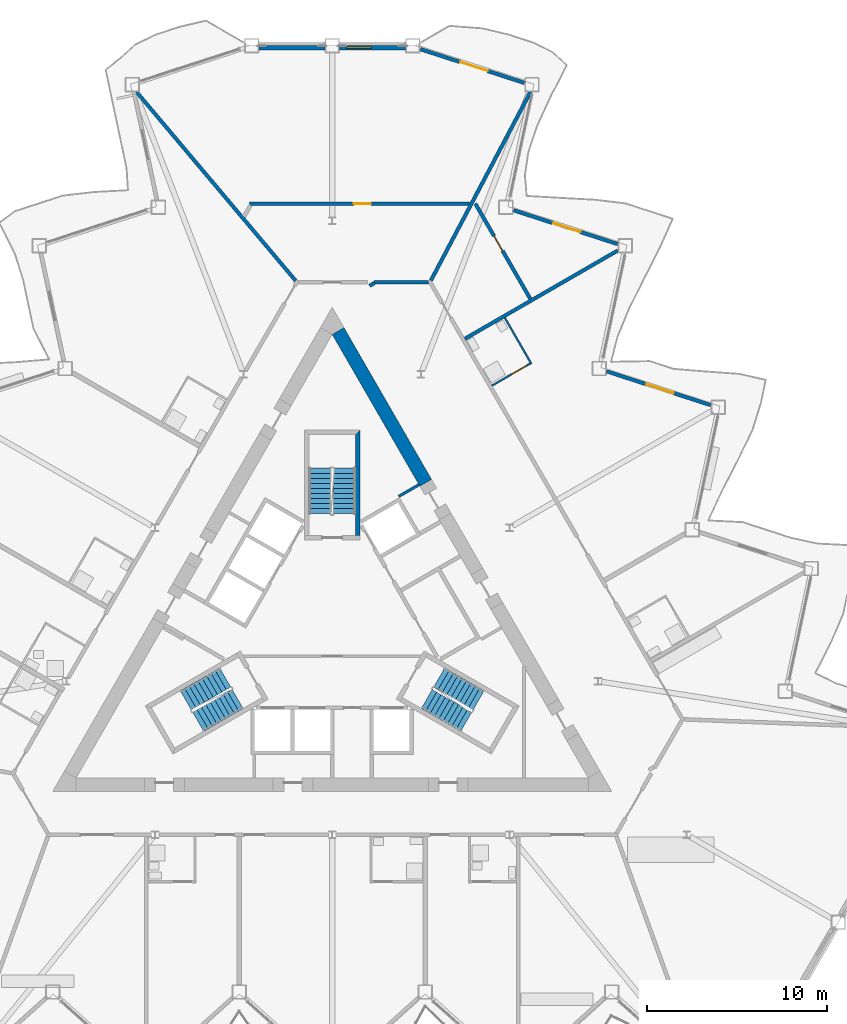
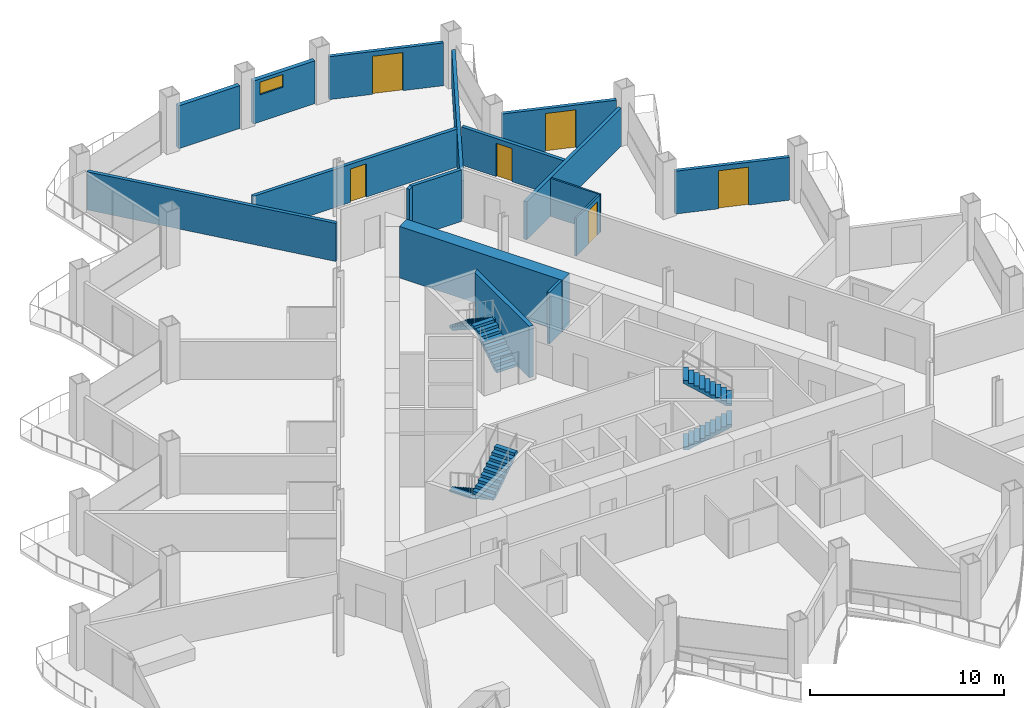
# One storey, part 15 of 23: 17 walls, 6 doors, 6 stair flights, 1 window, 7 openings, 3 elements without a shape of their own.
"""IFC4 building model written with IfcOpenShell, lengths in metres."""

from ifc_helpers import new_model, si_unit, direction, frame, frame_2d, origin, place, context, subcontext, project, spatial, polyline, rectangle, outline, extrude, material, layer, layer_set, type_object, element, fill, aggregate, save


model = new_model("IFC4")

# Units and contexts
model_context = context("Model", 3, precision=1e-05, world=origin(), true_north=direction((0.0, 1.0)))
body_context = subcontext(model_context, "Body", "Model", "MODEL_VIEW")
ifc_project = project(units=[si_unit("LENGTHUNIT", "METRE"), si_unit("AREAUNIT", "SQUARE_METRE"), si_unit("VOLUMEUNIT", "CUBIC_METRE"), si_unit("PLANEANGLEUNIT", "RADIAN"), si_unit("MASSUNIT", "GRAM", prefix="KILO")], contexts=[model_context])

# Site, building, storey
site_placement = place(None, origin())
site = spatial("IfcSite", under=ifc_project, at=site_placement, CompositionType="ELEMENT")
building_placement = place(site_placement, origin())
building = spatial("IfcBuilding", under=site, at=building_placement, Name="Cormorant Prow Tower", CompositionType="ELEMENT")
storey_placement = place(building_placement, frame((0.0, 0.0, 208.800048828125)))
storey = spatial("IfcBuildingStorey", under=building, at=storey_placement, Name="L46", CompositionType="ELEMENT", Elevation=208.800048828125)

# Walls
ifc_material_1 = material(Name="Gypsum board partition")
ifc_layer_1 = layer(ifc_material_1, 0.14990234375)
ifc_layer_set_1 = layer_set([ifc_layer_1], Name="Gypsum board partition")
wall_type_1 = type_object("IfcWallType", Name="Core partition 150", PredefinedType="PARTITIONING", material=ifc_layer_set_1)
wall_1_placement = place(storey_placement, frame((3.693359375, 7.4150390625, 0.0), z_axis=(0.0, 0.0, 1.0), x_axis=(0.866003189247, 0.500038474733, 0.0)))
element("IfcWall", 1, at=wall_1_placement, inside=storey, type_object=wall_type_1, Name="Service room partition", PredefinedType="PARTITIONING", context=body_context, shape_type="SweptSolid", body=[
    extrude(rectangle(XDim=1.29296875, YDim=0.14990234375, at=frame_2d((0.646484375, 0.0))), origin(), (0.0, 0.0, 1.0), 3.25),
])
ifc_material_2 = material(Name="Concrete 8000 psi", Category="concrete")
ifc_layer_2 = layer(ifc_material_2, 0.75)
ifc_layer_set_2 = layer_set([ifc_layer_2], Name="Concrete 8000 psi")
wall_type_2 = type_object("IfcWallType", Name="Core shear wall 750", PredefinedType="SHEAR", material=ifc_layer_set_2)
wall_2_placement = place(storey_placement, frame((5.185302734375, 8.166748046875, 0.0), z_axis=(0.0, 0.0, 1.0), x_axis=(-0.500004344816, 0.866022895289, 0.0)))
element("IfcWall", 2, at=wall_2_placement, inside=storey, type_object=wall_type_2, Name="Core wall", PredefinedType="SHEAR", context=body_context, shape_type="SweptSolid", body=[
    extrude(rectangle(XDim=9.72119140625, YDim=0.75, at=frame_2d((4.860595703125, 0.0))), origin(), (0.0, 0.0, 1.0), 3.25),
])
ifc_material_3 = material(Name="Gypsum board corridor wall")
ifc_layer_3 = layer(ifc_material_3, 0.199951171875)
ifc_layer_set_3 = layer_set([ifc_layer_3], Name="Gypsum board corridor wall")
wall_type_3 = type_object("IfcWallType", Name="Corridor wall 200", PredefinedType="PARTITIONING", material=ifc_layer_set_3)
wall_3_placement = place(storey_placement, frame((2.324951171875, 19.2978515625, 0.0), z_axis=(0.0, 0.0, 1.0), x_axis=(1.0, 0.0, 0.0)))
element("IfcWall", 3, at=wall_3_placement, inside=storey, type_object=wall_type_3, Name="Corridor wall", PredefinedType="PARTITIONING", context=body_context, shape_type="SweptSolid", body=[
    extrude(rectangle(XDim=3.002197265625, YDim=0.199951171875, at=frame_2d((1.5009765625, 0.0))), origin(), (0.0, 0.0, 1.0), 3.25),
])
wall_4_placement = place(storey_placement, frame((2.06982421875, 19.093017578125, 0.0), z_axis=(0.0, 0.0, 1.0), x_axis=(0.866395311824, 0.499358752451, 0.0)))
element("IfcWall", 4, at=wall_4_placement, inside=storey, type_object=wall_type_3, Name="Corridor wall", PredefinedType="PARTITIONING", context=body_context, shape_type="SweptSolid", body=[
    extrude(rectangle(XDim=0.31005859375, YDim=0.199951171875, at=frame_2d((0.155029296875, 0.0))), origin(), (0.0, 0.0, 1.0), 3.25),
])
ifc_material_4 = material(Name="Gypsum board demising wall")
ifc_layer_4 = layer(ifc_material_4, 0.199951171875)
ifc_layer_set_4 = layer_set([ifc_layer_4], Name="Gypsum board demising wall")
wall_type_4 = type_object("IfcWallType", Name="Demising wall 200", PredefinedType="PARTITIONING", material=ifc_layer_set_4)
wall_5_placement = place(storey_placement, frame((-10.848388671875, 29.841796875, 0.0), z_axis=(0.0, 0.0, 1.0), x_axis=(0.644393845782, -0.764693776305, 0.0)))
element("IfcWall", 5, at=wall_5_placement, inside=storey, type_object=wall_type_4, Name="Demising wall", PredefinedType="PARTITIONING", context=body_context, shape_type="SweptSolid", body=[
    extrude(rectangle(XDim=13.6884765625, YDim=0.199951171875, at=frame_2d((6.84423828125, 0.0))), origin(), (0.0, 0.0, 1.0), 2.404052734375),
])

# Wall, opening, door
wall_6_placement = place(storey_placement, frame((-4.574462890625, 23.64794921875, 0.0), z_axis=(0.0, 0.0, 1.0), x_axis=(1.0, 0.0, 0.0)))
wall_6 = element("IfcWall", 6, at=wall_6_placement, inside=storey, type_object=wall_type_4, Name="Demising wall", PredefinedType="PARTITIONING", context=body_context, shape_type="SweptSolid", body=[
    extrude(rectangle(XDim=12.197509765625, YDim=0.199951171875, at=frame_2d((6.0986328125, 0.0))), origin(), (0.0, 0.0, 1.0), 2.404052734375),
])
opening_1_placement = place(wall_6_placement, frame((5.7744140625, 0.0, 0.0)))
opening_1 = element("IfcOpeningElement", 7, at=opening_1_placement, cuts=wall_6, Name="Opening L46-F18", PredefinedType="OPENING", context=body_context, shape_type="SweptSolid", body=[
    extrude(rectangle(XDim=0.949951171875, YDim=2.10009765625, at=frame_2d((0.47509765625, 1.050048828125))), frame((0.0, 0.10986328125, 0.0), z_axis=(0.0, -1.0, 0.0), x_axis=(1.0, 0.0, 0.0)), (0.0, 0.0, 1.0), 0.219970703125),
])
ifc_material_5 = material(Name="Timber door leaf", Category="wood")
door_type_1 = type_object("IfcDoorType", Name="Store door 950x2100", OperationType="NOTDEFINED", PredefinedType="DOOR", material=ifc_material_5)
door_1_placement = place(opening_1_placement, origin())
door_1 = element("IfcDoor", 8, at=door_1_placement, inside=storey, type_object=door_type_1, Name="Luggage store door", OperationType="SINGLE_SWING_RIGHT", OverallHeight=2.10009765625, OverallWidth=0.949951171875, PredefinedType="DOOR", context=body_context, shape_type="SweptSolid", body=[
    extrude(rectangle(XDim=0.949951171875, YDim=2.10009765625, at=frame_2d((0.47509765625, 1.050048828125))), frame((0.0, 0.02490234375, 0.0), z_axis=(0.0, -1.0, 0.0), x_axis=(1.0, 0.0, 0.0)), (0.0, 0.0, 1.0), 0.050048828125),
])
fill(opening_1, door_1)

# Walls
wall_7_placement = place(storey_placement, frame((5.473876953125, 19.38623046875, 0.0), z_axis=(0.0, 0.0, 1.0), x_axis=(0.46676490071, 0.884381437766, 0.0)))
element("IfcWall", 9, at=wall_7_placement, inside=storey, type_object=wall_type_4, Name="Demising wall", PredefinedType="PARTITIONING", context=body_context, shape_type="SweptSolid", body=[
    extrude(rectangle(XDim=11.822509765625, YDim=0.199951171875, at=frame_2d((5.9111328125, 0.0))), origin(), (0.0, 0.0, 1.0), 2.404052734375),
])
wall_8_placement = place(storey_placement, frame((7.357421875, 16.154296875, 0.0), z_axis=(0.0, 0.0, 1.0), x_axis=(0.866029004385, 0.499993763526, 0.0)))
element("IfcWall", 10, at=wall_8_placement, inside=storey, type_object=wall_type_4, Name="Demising wall", PredefinedType="PARTITIONING", context=body_context, shape_type="SweptSolid", body=[
    extrude(rectangle(XDim=9.788818359375, YDim=0.199951171875, at=frame_2d((4.89453125, 0.0))), origin(), (0.0, 0.0, 1.0), 2.404052734375),
])

# Wall, opening, door
wall_9_placement = place(storey_placement, frame((7.938720703125, 23.64794921875, 0.0), z_axis=(0.0, 0.0, 1.0), x_axis=(0.499970785833, -0.866042269935, 0.0)))
wall_9 = element("IfcWall", 11, at=wall_9_placement, inside=storey, type_object=wall_type_4, Name="Demising wall", PredefinedType="PARTITIONING", context=body_context, shape_type="SweptSolid", body=[
    extrude(rectangle(XDim=6.098876953125, YDim=0.199951171875, at=frame_2d((3.04931640625, 0.0))), origin(), (0.0, 0.0, 1.0), 2.404052734375),
])
opening_2_placement = place(wall_9_placement, frame((2.069091796875, 0.0, 0.0)))
opening_2 = element("IfcOpeningElement", 12, at=opening_2_placement, cuts=wall_9, Name="Opening L46-F16", PredefinedType="OPENING", context=body_context, shape_type="SweptSolid", body=[
    extrude(rectangle(XDim=0.949951171875, YDim=2.10009765625, at=frame_2d((0.47509765625, 1.050048828125))), frame((0.0, 0.10986328125, 0.0), z_axis=(0.0, -1.0, 0.0), x_axis=(1.0, 0.0, 0.0)), (0.0, 0.0, 1.0), 0.219970703125),
])
door_2_placement = place(opening_2_placement, origin())
door_2 = element("IfcDoor", 13, at=door_2_placement, inside=storey, type_object=door_type_1, Name="Linen store door", OperationType="SINGLE_SWING_LEFT", OverallHeight=2.10009765625, OverallWidth=0.949951171875, PredefinedType="DOOR", context=body_context, shape_type="SweptSolid", body=[
    extrude(rectangle(XDim=0.949951171875, YDim=2.10009765625, at=frame_2d((0.47509765625, 1.050048828125))), frame((0.0, 0.02490234375, 0.0), z_axis=(0.0, -1.0, 0.0), x_axis=(1.0, 0.0, 0.0)), (0.0, 0.0, 1.0), 0.050048828125),
])
fill(opening_2, door_2)

# Wall
ifc_material_6 = material(Name="Gypsum board partition")
ifc_layer_5 = layer(ifc_material_6, 0.10009765625)
ifc_layer_set_5 = layer_set([ifc_layer_5], Name="Gypsum board partition")
wall_type_5 = type_object("IfcWallType", Name="Internal partition 100", PredefinedType="PARTITIONING", material=ifc_layer_set_5)
wall_10_placement = place(storey_placement, frame((9.572509765625, 17.317626953125, 0.0), z_axis=(0.0, 0.0, 1.0), x_axis=(0.500037662692, -0.866003658127, 0.0)))
element("IfcWall", 14, at=wall_10_placement, inside=storey, type_object=wall_type_5, Name="Internal partition", PredefinedType="PARTITIONING", context=body_context, shape_type="SweptSolid", body=[
    extrude(rectangle(XDim=2.949951171875, YDim=0.10009765625, at=frame_2d((1.47509765625, 0.0))), origin(), (0.0, 0.0, 1.0), 2.404052734375),
])

# Wall, opening, door
wall_11_placement = place(storey_placement, frame((8.857421875, 13.55615234375, 0.0), z_axis=(0.0, 0.0, 1.0), x_axis=(0.866014668023, 0.500018594424, 0.0)))
wall_11 = element("IfcWall", 15, at=wall_11_placement, inside=storey, type_object=wall_type_5, Name="Internal partition", PredefinedType="PARTITIONING", context=body_context, shape_type="SweptSolid", body=[
    extrude(rectangle(XDim=2.4501953125, YDim=0.10009765625, at=frame_2d((1.22509765625, 0.0))), origin(), (0.0, 0.0, 1.0), 2.404052734375),
])
opening_3_placement = place(wall_11_placement, frame((1.25, 0.0, 0.0)))
opening_3 = element("IfcOpeningElement", 16, at=opening_3_placement, cuts=wall_11, Name="Opening L46-F14", PredefinedType="OPENING", context=body_context, shape_type="SweptSolid", body=[
    extrude(rectangle(XDim=0.949951171875, YDim=2.10009765625, at=frame_2d((0.47509765625, 1.050048828125))), frame((0.0, 0.06005859375, 0.0), z_axis=(0.0, -1.0, 0.0), x_axis=(1.0, 0.0, 0.0)), (0.0, 0.0, 1.0), 0.1201171875),
])
ifc_material_7 = material(Name="Timber door leaf", Category="wood")
door_type_2 = type_object("IfcDoorType", Name="Bathroom door 950x2100", OperationType="NOTDEFINED", PredefinedType="DOOR", material=ifc_material_7)
door_3_placement = place(opening_3_placement, origin())
door_3 = element("IfcDoor", 17, at=door_3_placement, inside=storey, type_object=door_type_2, Name="Executive suite bedroom door", OperationType="SINGLE_SWING_RIGHT", OverallHeight=2.10009765625, OverallWidth=0.949951171875, PredefinedType="DOOR", context=body_context, shape_type="SweptSolid", body=[
    extrude(rectangle(XDim=0.949951171875, YDim=2.10009765625, at=frame_2d((0.47509765625, 1.050048828125))), frame((0.0, 0.02490234375, 0.0), z_axis=(0.0, -1.0, 0.0), x_axis=(1.0, 0.0, 0.0)), (0.0, 0.0, 1.0), 0.050048828125),
])
fill(opening_3, door_3)

# Wall
ifc_material_8 = material(Name="Concrete 8000 psi", Category="concrete")
ifc_layer_6 = layer(ifc_material_8, 0.25)
ifc_layer_set_6 = layer_set([ifc_layer_6], Name="Concrete 8000 psi")
wall_type_6 = type_object("IfcWallType", Name="Stair wall 250", PredefinedType="SHEAR", material=ifc_layer_set_6)
wall_12_placement = place(storey_placement, origin())
element("IfcWall", 18, at=wall_12_placement, inside=storey, type_object=wall_type_6, Name="Stair ST3 enclosure wall (flank)", PredefinedType="SHEAR", context=body_context, shape_type="SweptSolid", body=[
    extrude(outline(polyline([(1.5439453125, 5.23681640625), (1.5439453125, 11.0869140625), (1.2939453125, 10.8369140625), (1.2939453125, 5.23681640625), (1.5439453125, 5.23681640625)])), origin(), (0.0, 0.0, 1.0), 3.25),
])

# Wall, opening, window
ifc_material_9 = material(Name="Terracotta", Category="masonry")
ifc_layer_7 = layer(ifc_material_9, 0.25)
ifc_layer_set_7 = layer_set([ifc_layer_7], Name="Terracotta")
wall_type_7 = type_object("IfcWallType", Name="Terracotta bay wall 250", PredefinedType="SOLIDWALL", material=ifc_layer_set_7)
wall_13_placement = place(storey_placement, frame((4.0703125, 32.2919921875, 0.0), z_axis=(0.0, 0.0, 1.0), x_axis=(-1.0, 0.0, 0.0)))
wall_13 = element("IfcWall", 19, at=wall_13_placement, inside=storey, type_object=wall_type_7, Name="Terracotta bay wall N00", PredefinedType="SOLIDWALL", context=body_context, shape_type="SweptSolid", body=[
    extrude(rectangle(XDim=3.67041015625, YDim=0.25, at=frame_2d((1.835205078125, 0.0))), origin(), (0.0, 0.0, 1.0), 2.700927734375),
])
opening_4_placement = place(wall_13_placement, frame((1.89697265625, 0.0, 1.699951171875)))
opening_4 = element("IfcOpeningElement", 20, at=opening_4_placement, cuts=wall_13, Name="Opening WN3", PredefinedType="OPENING", context=body_context, shape_type="SweptSolid", body=[
    extrude(rectangle(XDim=1.39990234375, YDim=0.800048828125, at=frame_2d((0.699951171875, 0.39990234375))), frame((0.0, 0.135009765625, 0.0), z_axis=(0.0, -1.0, 0.0), x_axis=(1.0, 0.0, 0.0)), (0.0, 0.0, 1.0), 0.27001953125),
])
ifc_material_10 = material(Name="Aluminium 6063-T6", Category="aluminium")
window_type = type_object("IfcWindowType", Name="Corner bay window 1400x800", PartitioningType="SINGLE_PANEL", PredefinedType="WINDOW", material=ifc_material_10)
window_placement = place(opening_4_placement, origin())
window = element("IfcWindow", 21, at=window_placement, inside=storey, type_object=window_type, Name="Corner bay window N00", OverallHeight=0.800048828125, OverallWidth=1.39990234375, PartitioningType="SINGLE_PANEL", PredefinedType="WINDOW", context=body_context, shape_type="SweptSolid", body=[
    extrude(rectangle(XDim=1.39990234375, YDim=0.800048828125, at=frame_2d((0.699951171875, 0.39990234375))), frame((0.0, 0.030029296875, 0.0), z_axis=(0.0, -1.0, 0.0), x_axis=(1.0, 0.0, 0.0)), (0.0, 0.0, 1.0), 0.06005859375),
])
fill(opening_4, window)

# Wall
wall_14_placement = place(storey_placement, frame((-0.39990234375, 32.2919921875, 0.0), z_axis=(0.0, 0.0, 1.0), x_axis=(-1.0, 0.0, 0.0)))
element("IfcWall", 22, at=wall_14_placement, inside=storey, type_object=wall_type_7, Name="Terracotta bay wall N01", PredefinedType="SOLIDWALL", context=body_context, shape_type="SweptSolid", body=[
    extrude(rectangle(XDim=3.67041015625, YDim=0.25, at=frame_2d((1.835205078125, 0.0))), origin(), (0.0, 0.0, 1.0), 2.700927734375),
])

# Wall, opening, door
ifc_material_11 = material(Name="Terracotta", Category="masonry")
ifc_layer_8 = layer(ifc_material_11, 0.199951171875)
ifc_layer_set_8 = layer_set([ifc_layer_8], Name="Terracotta")
wall_type_8 = type_object("IfcWallType", Name="Terracotta jamb wall 200", PredefinedType="SOLIDWALL", material=ifc_layer_set_8)
wall_15_placement = place(storey_placement, frame((20.98486328125, 12.47607421875, 0.0), z_axis=(0.0, 0.0, 1.0), x_axis=(-0.951058356211, 0.30901133164, 0.0)))
wall_15 = element("IfcWall", 23, at=wall_15_placement, inside=storey, type_object=wall_type_8, Name="Terracotta jamb wall ENE05", PredefinedType="SOLIDWALL", context=body_context, shape_type="SweptSolid", body=[
    extrude(rectangle(XDim=6.056640625, YDim=0.199951171875, at=frame_2d((3.0283203125, 0.0))), origin(), (0.0, 0.0, 1.0), 2.700927734375),
])
opening_5_placement = place(wall_15_placement, frame((2.15869140625, 0.0, 0.0)))
opening_5 = element("IfcOpeningElement", 24, at=opening_5_placement, cuts=wall_15, Name="Opening ED46.08", PredefinedType="OPENING", context=body_context, shape_type="SweptSolid", body=[
    extrude(rectangle(XDim=1.60009765625, YDim=2.39990234375, at=frame_2d((0.800048828125, 1.199951171875))), frame((0.0, 0.10986328125, 0.0), z_axis=(0.0, -1.0, 0.0), x_axis=(1.0, 0.0, 0.0)), (0.0, 0.0, 1.0), 0.219970703125),
])
ifc_material_12 = material(Name="Aluminium 6063-T6", Category="aluminium")
door_type_3 = type_object("IfcDoorType", Name="Balcony door 1600x2400", OperationType="DOUBLE_DOOR_SINGLE_SWING", PredefinedType="DOOR", material=ifc_material_12)
door_4_placement = place(opening_5_placement, origin())
door_4 = element("IfcDoor", 25, at=door_4_placement, inside=storey, type_object=door_type_3, Name="Balcony door ENE05 ED46.08", OperationType="DOUBLE_DOOR_SINGLE_SWING", OverallHeight=2.39990234375, OverallWidth=1.60009765625, PredefinedType="DOOR", context=body_context, shape_type="SweptSolid", body=[
    extrude(rectangle(XDim=1.60009765625, YDim=2.39990234375, at=frame_2d((0.800048828125, 1.199951171875))), frame((0.0, 0.02490234375, 0.0), z_axis=(0.0, -1.0, 0.0), x_axis=(1.0, 0.0, 0.0)), (0.0, 0.0, 1.0), 0.050048828125),
])
fill(opening_5, door_4)

wall_16_placement = place(storey_placement, frame((15.820068359375, 21.408935546875, 0.0), z_axis=(0.0, 0.0, 1.0), x_axis=(-0.951058356211, 0.30901133164, 0.0)))
wall_16 = element("IfcWall", 26, at=wall_16_placement, inside=storey, type_object=wall_type_8, Name="Terracotta jamb wall ENE07", PredefinedType="SOLIDWALL", context=body_context, shape_type="SweptSolid", body=[
    extrude(rectangle(XDim=6.056640625, YDim=0.199951171875, at=frame_2d((3.0283203125, 0.0))), origin(), (0.0, 0.0, 1.0), 2.700927734375),
])
opening_6_placement = place(wall_16_placement, frame((2.149169921875, 0.0, 0.0)))
opening_6 = element("IfcOpeningElement", 27, at=opening_6_placement, cuts=wall_16, Name="Opening ED46.09", PredefinedType="OPENING", context=body_context, shape_type="SweptSolid", body=[
    extrude(rectangle(XDim=1.60009765625, YDim=2.39990234375, at=frame_2d((0.800048828125, 1.199951171875))), frame((0.0, 0.10986328125, 0.0), z_axis=(0.0, -1.0, 0.0), x_axis=(1.0, 0.0, 0.0)), (0.0, 0.0, 1.0), 0.219970703125),
])
door_5_placement = place(opening_6_placement, origin())
door_5 = element("IfcDoor", 28, at=door_5_placement, inside=storey, type_object=door_type_3, Name="Balcony door ENE07 ED46.09", OperationType="DOUBLE_DOOR_SINGLE_SWING", OverallHeight=2.39990234375, OverallWidth=1.60009765625, PredefinedType="DOOR", context=body_context, shape_type="SweptSolid", body=[
    extrude(rectangle(XDim=1.60009765625, YDim=2.39990234375, at=frame_2d((0.800048828125, 1.199951171875))), frame((0.0, 0.02490234375, 0.0), z_axis=(0.0, -1.0, 0.0), x_axis=(1.0, 0.0, 0.0)), (0.0, 0.0, 1.0), 0.050048828125),
])
fill(opening_6, door_5)

wall_17_placement = place(storey_placement, frame((10.6552734375, 30.341552734375, 0.0), z_axis=(0.0, 0.0, 1.0), x_axis=(-0.951054506932, 0.309023178491, 0.0)))
wall_17 = element("IfcWall", 29, at=wall_17_placement, inside=storey, type_object=wall_type_8, Name="Terracotta jamb wall ENE09", PredefinedType="SOLIDWALL", context=body_context, shape_type="SweptSolid", body=[
    extrude(rectangle(XDim=6.056396484375, YDim=0.199951171875, at=frame_2d((3.0283203125, 0.0))), origin(), (0.0, 0.0, 1.0), 2.700927734375),
])
opening_7_placement = place(wall_17_placement, frame((2.1396484375, 0.0, 0.0)))
opening_7 = element("IfcOpeningElement", 30, at=opening_7_placement, cuts=wall_17, Name="Opening ED46.10", PredefinedType="OPENING", context=body_context, shape_type="SweptSolid", body=[
    extrude(rectangle(XDim=1.60009765625, YDim=2.39990234375, at=frame_2d((0.800048828125, 1.199951171875))), frame((0.0, 0.10986328125, 0.0), z_axis=(0.0, -1.0, 0.0), x_axis=(1.0, 0.0, 0.0)), (0.0, 0.0, 1.0), 0.219970703125),
])
door_6_placement = place(opening_7_placement, origin())
door_6 = element("IfcDoor", 31, at=door_6_placement, inside=storey, type_object=door_type_3, Name="Balcony door ENE09 ED46.10", OperationType="DOUBLE_DOOR_SINGLE_SWING", OverallHeight=2.39990234375, OverallWidth=1.60009765625, PredefinedType="DOOR", context=body_context, shape_type="SweptSolid", body=[
    extrude(rectangle(XDim=1.60009765625, YDim=2.39990234375, at=frame_2d((0.800048828125, 1.199951171875))), frame((0.0, 0.02490234375, 0.0), z_axis=(0.0, -1.0, 0.0), x_axis=(1.0, 0.0, 0.0)), (0.0, 0.0, 1.0), 0.050048828125),
])
fill(opening_7, door_6)

# Stair, stair flights
ifc_material_13 = material(Name="Exit stair 20 risers")
stair_type = type_object("IfcStairType", Name="Exit stair 20 risers", PredefinedType="HALF_TURN_STAIR", material=ifc_material_13)
stair_1_placement = place(storey_placement, origin())
stair_1 = element("IfcStair", 32, at=stair_1_placement, inside=storey, type_object=stair_type, Name="L46 Exit stair ST1", PredefinedType="HALF_TURN_STAIR")
ifc_material_14 = material(Name="Concrete 5000 psi", Category="concrete")
stair_flight_type = type_object("IfcStairFlightType", Name="Stair flight 1219", PredefinedType="STRAIGHT", material=ifc_material_14)
stair_flight_1_placement = place(storey_placement, frame((-5.93310546875, -2.635009765625, 0.0), z_axis=(0.0, 0.0, 1.0), x_axis=(-0.866025403784, -0.5, 0.0)))
stair_flight_1 = element("IfcStairFlight", 33, at=stair_flight_1_placement, type_object=stair_flight_type, Name="ST1 flight 1", NumberOfRisers=10, NumberOfTreads=9, PredefinedType="STRAIGHT", RiserHeight=0.18, TreadLength=0.28, context=body_context, shape_type="SweptSolid", body=[
    extrude(outline(polyline([(0.0, 0.0), (0.0, 0.179931640625), (0.280029296875, 0.179931640625), (0.280029296875, 0.360107421875), (0.56005859375, 0.360107421875), (0.56005859375, 0.5400390625), (0.840087890625, 0.5400390625), (0.840087890625, 0.719970703125), (1.1201171875, 0.719970703125), (1.1201171875, 0.89990234375), (1.39990234375, 0.89990234375), (1.39990234375, 1.080078125), (1.679931640625, 1.080078125), (1.679931640625, 1.260009765625), (1.9599609375, 1.260009765625), (1.9599609375, 1.43994140625), (2.239990234375, 1.43994140625), (2.239990234375, 1.6201171875), (2.52001953125, 1.6201171875), (2.52001953125, 1.800048828125), (2.52001953125, 1.44189453125), (0.277099609375, 0.0), (0.0, 0.0)])), frame((0.0, 0.609375, 0.0), z_axis=(0.0, -1.0, 0.0), x_axis=(1.0, 0.0, 0.0)), (0.0, 0.0, 1.0), 1.218994140625),
])
stair_flight_2_placement = place(storey_placement, frame((-7.43115234375, -5.080810546875, 1.800048828125), z_axis=(0.0, 0.0, 1.0), x_axis=(0.866025403784, 0.5, 0.0)))
stair_flight_2 = element("IfcStairFlight", 34, at=stair_flight_2_placement, type_object=stair_flight_type, Name="ST1 flight 2", NumberOfRisers=10, NumberOfTreads=9, PredefinedType="STRAIGHT", RiserHeight=0.18, TreadLength=0.28, context=body_context, shape_type="SweptSolid", body=[
    extrude(outline(polyline([(0.0, 0.0), (0.0, 0.179931640625), (0.280029296875, 0.179931640625), (0.280029296875, 0.360107421875), (0.56005859375, 0.360107421875), (0.56005859375, 0.5400390625), (0.840087890625, 0.5400390625), (0.840087890625, 0.719970703125), (1.1201171875, 0.719970703125), (1.1201171875, 0.89990234375), (1.39990234375, 0.89990234375), (1.39990234375, 1.080078125), (1.679931640625, 1.080078125), (1.679931640625, 1.260009765625), (1.9599609375, 1.260009765625), (1.9599609375, 1.43994140625), (2.239990234375, 1.43994140625), (2.239990234375, 1.6201171875), (2.52001953125, 1.6201171875), (2.52001953125, 1.800048828125), (2.52001953125, 1.44189453125), (0.277099609375, 0.0), (0.0, 0.0)])), frame((0.0, 0.609375, 0.0), z_axis=(0.0, -1.0, 0.0), x_axis=(1.0, 0.0, 0.0)), (0.0, 0.0, 1.0), 1.218994140625),
])
aggregate(stair_1, [stair_flight_1, stair_flight_2])

stair_2_placement = place(storey_placement, origin())
stair_2 = element("IfcStair", 35, at=stair_2_placement, inside=storey, type_object=stair_type, Name="L46 Exit stair ST2", PredefinedType="HALF_TURN_STAIR")
stair_flight_3_placement = place(storey_placement, frame((5.24853515625, -3.82080078125, 0.0), z_axis=(0.0, 0.0, 1.0), x_axis=(0.866025403784, -0.5, 0.0)))
stair_flight_3 = element("IfcStairFlight", 36, at=stair_flight_3_placement, type_object=stair_flight_type, Name="ST2 flight 1", NumberOfRisers=10, NumberOfTreads=9, PredefinedType="STRAIGHT", RiserHeight=0.18, TreadLength=0.28, context=body_context, shape_type="SweptSolid", body=[
    extrude(outline(polyline([(0.0, 0.0), (0.0, 0.179931640625), (0.280029296875, 0.179931640625), (0.280029296875, 0.360107421875), (0.56005859375, 0.360107421875), (0.56005859375, 0.5400390625), (0.840087890625, 0.5400390625), (0.840087890625, 0.719970703125), (1.1201171875, 0.719970703125), (1.1201171875, 0.89990234375), (1.39990234375, 0.89990234375), (1.39990234375, 1.080078125), (1.679931640625, 1.080078125), (1.679931640625, 1.260009765625), (1.9599609375, 1.260009765625), (1.9599609375, 1.43994140625), (2.239990234375, 1.43994140625), (2.239990234375, 1.6201171875), (2.52001953125, 1.6201171875), (2.52001953125, 1.800048828125), (2.52001953125, 1.44189453125), (0.277099609375, 0.0), (0.0, 0.0)])), frame((0.0, 0.609375, 0.0), z_axis=(0.0, -1.0, 0.0), x_axis=(1.0, 0.0, 0.0)), (0.0, 0.0, 1.0), 1.218994140625),
])
stair_flight_4_placement = place(storey_placement, frame((8.115478515625, -3.89501953125, 1.800048828125), z_axis=(0.0, 0.0, 1.0), x_axis=(-0.866025403784, 0.5, 0.0)))
stair_flight_4 = element("IfcStairFlight", 37, at=stair_flight_4_placement, type_object=stair_flight_type, Name="ST2 flight 2", NumberOfRisers=10, NumberOfTreads=9, PredefinedType="STRAIGHT", RiserHeight=0.18, TreadLength=0.28, context=body_context, shape_type="SweptSolid", body=[
    extrude(outline(polyline([(0.0, 0.0), (0.0, 0.179931640625), (0.280029296875, 0.179931640625), (0.280029296875, 0.360107421875), (0.56005859375, 0.360107421875), (0.56005859375, 0.5400390625), (0.840087890625, 0.5400390625), (0.840087890625, 0.719970703125), (1.1201171875, 0.719970703125), (1.1201171875, 0.89990234375), (1.39990234375, 0.89990234375), (1.39990234375, 1.080078125), (1.679931640625, 1.080078125), (1.679931640625, 1.260009765625), (1.9599609375, 1.260009765625), (1.9599609375, 1.43994140625), (2.239990234375, 1.43994140625), (2.239990234375, 1.6201171875), (2.52001953125, 1.6201171875), (2.52001953125, 1.800048828125), (2.52001953125, 1.44189453125), (0.277099609375, 0.0), (0.0, 0.0)])), frame((0.0, 0.609375, 0.0), z_axis=(0.0, -1.0, 0.0), x_axis=(1.0, 0.0, 0.0)), (0.0, 0.0, 1.0), 1.218994140625),
])
aggregate(stair_2, [stair_flight_3, stair_flight_4])

stair_3_placement = place(storey_placement, origin())
stair_3 = element("IfcStair", 38, at=stair_3_placement, inside=storey, type_object=stair_type, Name="L46 Exit stair ST3", PredefinedType="HALF_TURN_STAIR")
stair_flight_5_placement = place(storey_placement, frame((0.6845703125, 6.455810546875, 0.0), z_axis=(0.0, 0.0, 1.0), x_axis=(0.0, 1.0, 0.0)))
stair_flight_5 = element("IfcStairFlight", 39, at=stair_flight_5_placement, type_object=stair_flight_type, Name="ST3 flight 1", NumberOfRisers=10, NumberOfTreads=9, PredefinedType="STRAIGHT", RiserHeight=0.18, TreadLength=0.28, context=body_context, shape_type="SweptSolid", body=[
    extrude(outline(polyline([(0.0, 0.0), (0.0, 0.179931640625), (0.280029296875, 0.179931640625), (0.280029296875, 0.360107421875), (0.56005859375, 0.360107421875), (0.56005859375, 0.5400390625), (0.840087890625, 0.5400390625), (0.840087890625, 0.719970703125), (1.1201171875, 0.719970703125), (1.1201171875, 0.89990234375), (1.39990234375, 0.89990234375), (1.39990234375, 1.080078125), (1.679931640625, 1.080078125), (1.679931640625, 1.260009765625), (1.9599609375, 1.260009765625), (1.9599609375, 1.43994140625), (2.239990234375, 1.43994140625), (2.239990234375, 1.6201171875), (2.52001953125, 1.6201171875), (2.52001953125, 1.800048828125), (2.52001953125, 1.44189453125), (0.277099609375, 0.0), (0.0, 0.0)])), frame((0.0, 0.609375, 0.0), z_axis=(0.0, -1.0, 0.0), x_axis=(1.0, 0.0, 0.0)), (0.0, 0.0, 1.0), 1.218994140625),
])
stair_flight_6_placement = place(storey_placement, frame((-0.6845703125, 8.975830078125, 1.800048828125), z_axis=(0.0, 0.0, 1.0), x_axis=(0.0, -1.0, 0.0)))
stair_flight_6 = element("IfcStairFlight", 40, at=stair_flight_6_placement, type_object=stair_flight_type, Name="ST3 flight 2", NumberOfRisers=10, NumberOfTreads=9, PredefinedType="STRAIGHT", RiserHeight=0.18, TreadLength=0.28, context=body_context, shape_type="SweptSolid", body=[
    extrude(outline(polyline([(0.0, 0.0), (0.0, 0.179931640625), (0.280029296875, 0.179931640625), (0.280029296875, 0.360107421875), (0.56005859375, 0.360107421875), (0.56005859375, 0.5400390625), (0.840087890625, 0.5400390625), (0.840087890625, 0.719970703125), (1.1201171875, 0.719970703125), (1.1201171875, 0.89990234375), (1.39990234375, 0.89990234375), (1.39990234375, 1.080078125), (1.679931640625, 1.080078125), (1.679931640625, 1.260009765625), (1.9599609375, 1.260009765625), (1.9599609375, 1.43994140625), (2.239990234375, 1.43994140625), (2.239990234375, 1.6201171875), (2.52001953125, 1.6201171875), (2.52001953125, 1.800048828125), (2.52001953125, 1.44189453125), (0.277099609375, 0.0), (0.0, 0.0)])), frame((0.0, 0.609375, 0.0), z_axis=(0.0, -1.0, 0.0), x_axis=(1.0, 0.0, 0.0)), (0.0, 0.0, 1.0), 1.218994140625),
])
aggregate(stair_3, [stair_flight_5, stair_flight_6])

save(model, "model.ifc")
